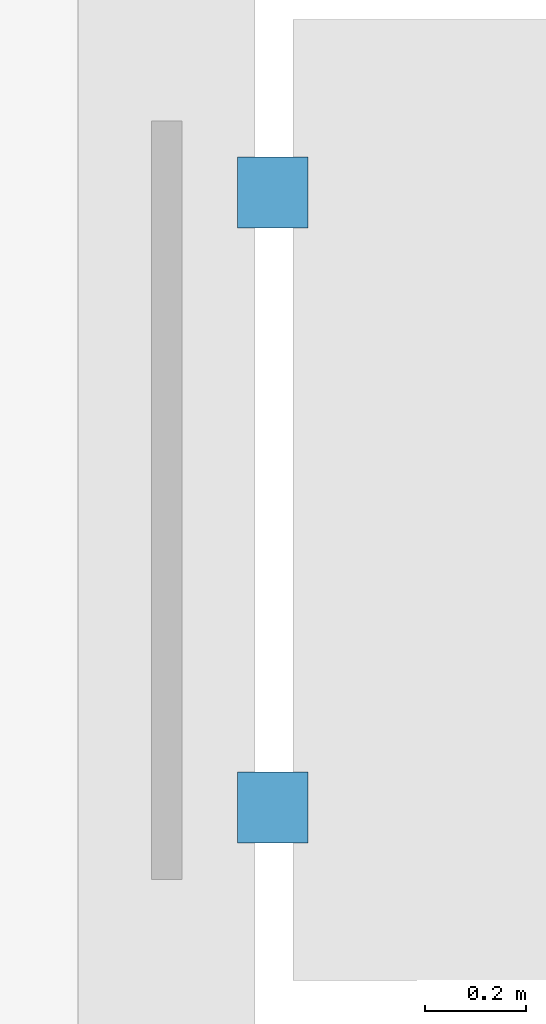
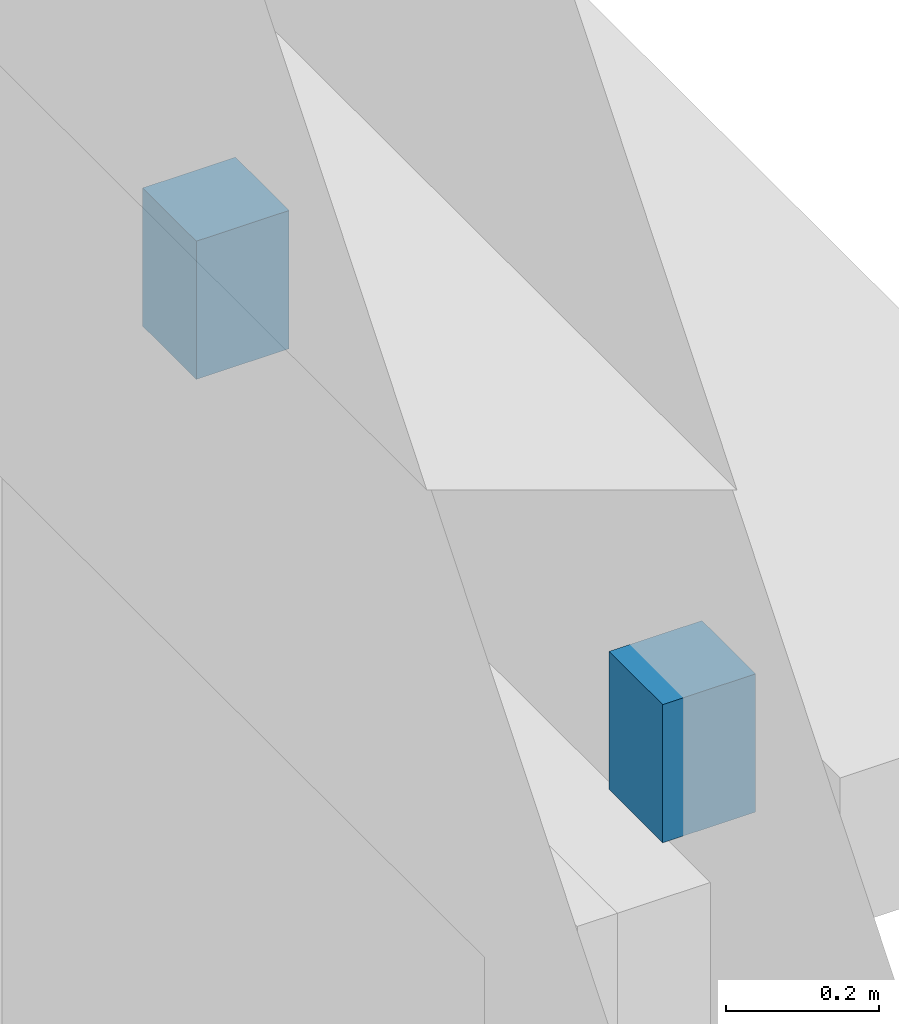
# One storey, part 23 of 25: 2 discrete accessories.
"""IFC4 building model written with IfcOpenShell, lengths in metres."""

from ifc_helpers import new_model, si_unit, direction, frame, origin, origin_2d, place, context, subcontext, project, spatial, rectangle, extrude, material, type_object, element, save


model = new_model("IFC4")

# Units and contexts
model_context = context("Model", 3, precision=1e-05, world=origin(), true_north=direction((0.0, 1.0)))
body_context = subcontext(model_context, "Body", "Model", "MODEL_VIEW")
ifc_project = project(units=[si_unit("LENGTHUNIT", "METRE"), si_unit("AREAUNIT", "SQUARE_METRE"), si_unit("VOLUMEUNIT", "CUBIC_METRE"), si_unit("PLANEANGLEUNIT", "RADIAN"), si_unit("MASSUNIT", "GRAM", prefix="KILO")], contexts=[model_context])

# Site, building, storey
site_placement = place(None, origin())
site = spatial("IfcSite", under=ifc_project, at=site_placement, CompositionType="ELEMENT")
building_placement = place(site_placement, origin())
building = spatial("IfcBuilding", under=site, at=building_placement, Name="Cendaluz Park School", CompositionType="ELEMENT")
storey_placement = place(building_placement, frame((0.0, 0.0, 18.60009765625)))
storey = spatial("IfcBuildingStorey", under=building, at=storey_placement, Name="L04", CompositionType="ELEMENT", Elevation=18.60009765625)

# Discrete accessories
ifc_material = material(Name="Steel S355", Category="steel")
discrete_accessory_type = type_object("IfcDiscreteAccessoryType", Name="BK-01", PredefinedType="BRACKET", material=ifc_material)
for number, where, z_axis, x_axis, name in (
    (1, (108.2099609375, 60.592041015625, 2.47998046875), (0.0, 0.0, 1.0), (0.0, 1.0, 0.0), "BK-L04-129"),
    (2, (108.2099609375, 61.80810546875, 2.47998046875), (0.0, 0.0, 1.0), (0.0, 1.0, 0.0), "BK-L04-130"),
):
    element("IfcDiscreteAccessory", number, at=place(storey_placement, frame(where, z_axis=z_axis, x_axis=x_axis)), inside=storey, type_object=discrete_accessory_type, Name=name, PredefinedType="BRACKET", context=body_context, shape_type="SweptSolid", body=[
        extrude(rectangle(XDim=0.139892578125, YDim=0.139892578125, at=origin_2d()), origin(), (0.0, 0.0, 1.0), 0.219970703125),
    ])

save(model, "model.ifc")
